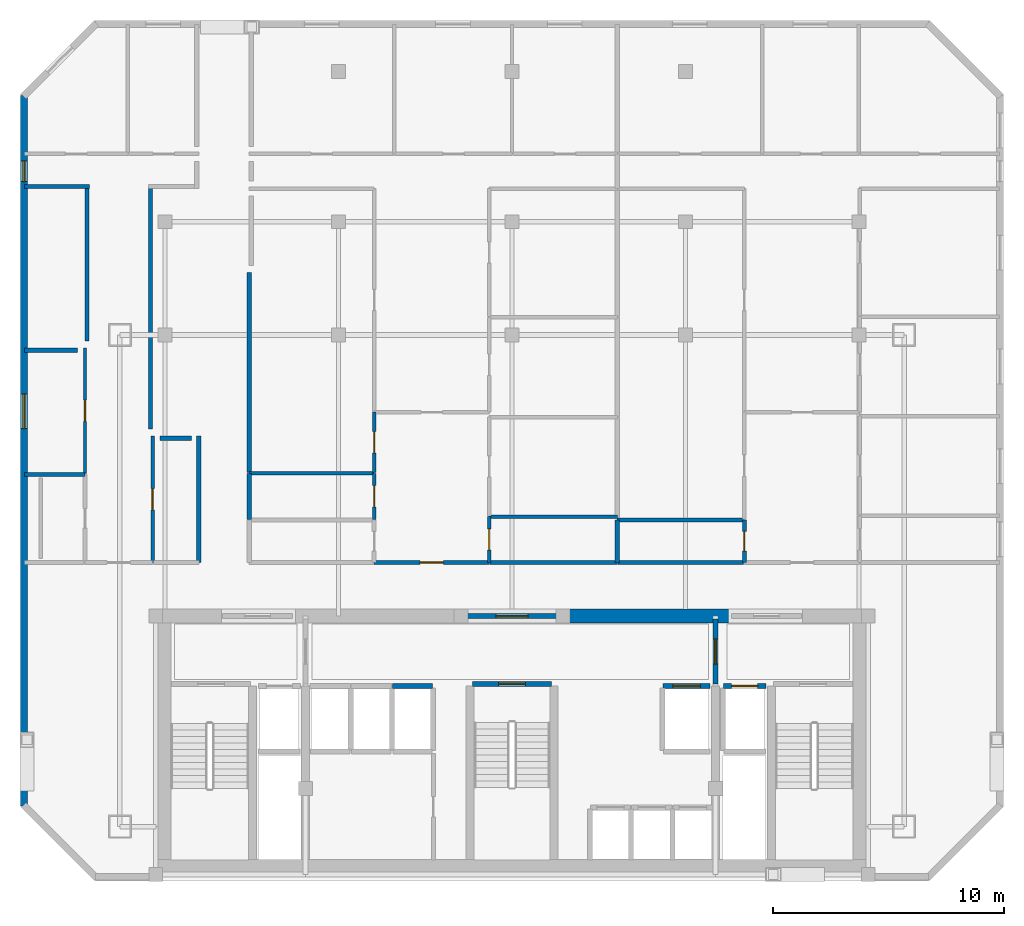
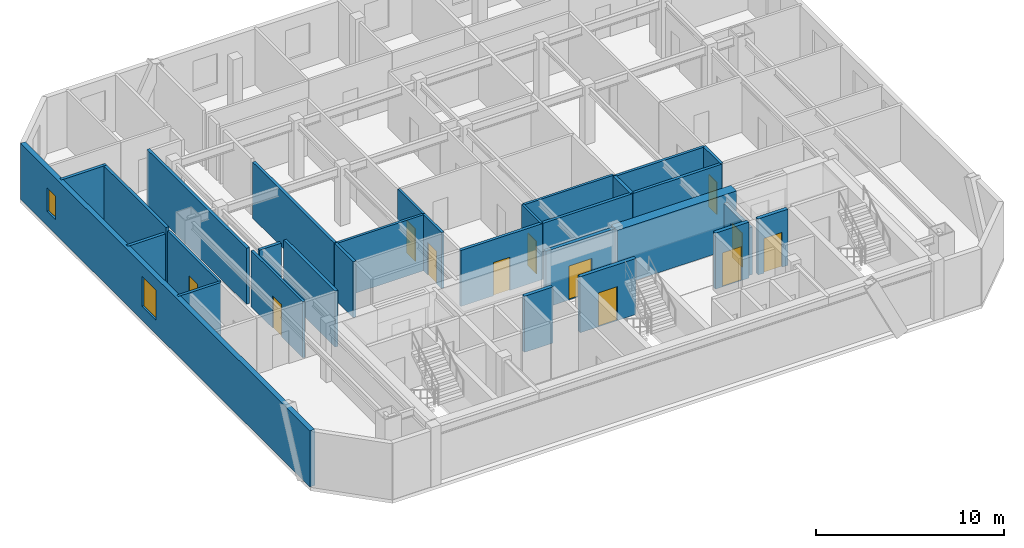
# One storey, part 3 of 7: 30 walls, 12 doors, 2 windows, 14 openings.
"""IFC4 building model written with IfcOpenShell, lengths in metres."""

from ifc_helpers import new_model, si_unit, direction, frame, frame_2d, origin, place, context, subcontext, project, spatial, rectangle, extrude, material, layer, layer_set, type_object, element, fill, save


model = new_model("IFC4")

# Units and contexts
model_context = context("Model", 3, precision=1e-05, world=origin(), true_north=direction((0.0, 1.0)))
body_context = subcontext(model_context, "Body", "Model", "MODEL_VIEW")
ifc_project = project(units=[si_unit("LENGTHUNIT", "METRE"), si_unit("AREAUNIT", "SQUARE_METRE"), si_unit("VOLUMEUNIT", "CUBIC_METRE"), si_unit("PLANEANGLEUNIT", "RADIAN"), si_unit("MASSUNIT", "GRAM", prefix="KILO")], contexts=[model_context])

# Site, building, storey
site_placement = place(None, origin())
site = spatial("IfcSite", under=ifc_project, at=site_placement, CompositionType="ELEMENT")
building_placement = place(site_placement, origin())
building = spatial("IfcBuilding", under=site, at=building_placement, Name="Ventersveld Concourse Tower", CompositionType="ELEMENT")
storey_placement = place(building_placement, frame((0.0, 0.0, 223.39990234375)))
storey = spatial("IfcBuildingStorey", under=building, at=storey_placement, Name="L55", CompositionType="ELEMENT", Elevation=223.39990234375)

# Walls
ifc_material_1 = material(Name="Concrete C50/60", Category="concrete")
ifc_layer_1 = layer(ifc_material_1, 0.60009765625)
ifc_layer_set_1 = layer_set([ifc_layer_1], Name="Concrete C50/60")
wall_type_1 = type_object("IfcWallType", Name="WL-CORE-600", PredefinedType="SHEAR", material=ifc_layer_set_1)
wall_1_placement = place(storey_placement, frame((30.89990234375, 11.449951171875, 0.0), z_axis=(0.0, 0.0, 1.0), x_axis=(1.0, 0.0, 0.0)))
element("IfcWall", 1, at=wall_1_placement, inside=storey, type_object=wall_type_1, Name="L55 Rear Core North Shear Wall NMR", PredefinedType="SHEAR", context=body_context, shape_type="SweptSolid", body=[
    extrude(rectangle(XDim=7.300048828125, YDim=0.60009765625, at=frame_2d((3.64990234375, 0.0))), origin(), (0.0, 0.0, 1.0), 3.630126953125),
])
ifc_material_2 = material(Name="Fire-rated autoclaved aerated masonry blockwork", Category="masonry")
ifc_layer_2 = layer(ifc_material_2, 0.179931640625)
ifc_layer_set_2 = layer_set([ifc_layer_2], Name="Fire-rated autoclaved aerated masonry blockwork")
wall_type_2 = type_object("IfcWallType", Name="WL-CORR-180", PredefinedType="PARTITIONING", material=ifc_layer_set_2)
wall_2_placement = place(storey_placement, frame((15.2099609375, 13.764892578125, 0.0), z_axis=(0.0, 0.0, 1.0), x_axis=(0.0, 1.0, 0.0)))
element("IfcWall", 2, at=wall_2_placement, inside=storey, type_object=wall_type_2, Name="L55 Interior Partition SP-L55-COR-SP-L55-55NW-KIT", PredefinedType="PARTITIONING", context=body_context, shape_type="SweptSolid", body=[
    extrude(rectangle(XDim=5.46533203125, YDim=0.179931640625, at=frame_2d((2.732666015625, 0.0))), origin(), (0.0, 0.0, 1.0), 3.630126953125),
])

# Wall, opening, door
wall_3_placement = place(storey_placement, frame((22.78466796875, 13.77001953125, 0.0), z_axis=(0.0, 0.0, 1.0), x_axis=(1.0, 0.0, 0.0)))
wall_3 = element("IfcWall", 3, at=wall_3_placement, inside=storey, type_object=wall_type_2, Name="L55 Interior Partition SP-L55-COR-SP-L55-55N1-FOY", PredefinedType="PARTITIONING", context=body_context, shape_type="SweptSolid", body=[
    extrude(rectangle(XDim=4.989990234375, YDim=0.179931640625, at=frame_2d((2.4951171875, 0.0))), origin(), (0.0, 0.0, 1.0), 3.630126953125),
])
opening_1_placement = place(wall_3_placement, frame((1.9951171875, 0.0, 0.0)))
opening_1 = element("IfcOpeningElement", 4, at=opening_1_placement, cuts=wall_3, Name="Opening FD3", PredefinedType="OPENING", context=body_context, shape_type="SweptSolid", body=[
    extrude(rectangle(XDim=1.0, YDim=2.14990234375, at=frame_2d((0.5, 1.074951171875))), frame((0.0, 0.10009765625, 0.0), z_axis=(0.0, -1.0, 0.0), x_axis=(1.0, 0.0, 0.0)), (0.0, 0.0, 1.0), 0.199951171875),
])
ifc_material_3 = material(Name="Solid-core hardwood veneer timber", Category="wood")
door_type_1 = type_object("IfcDoorType", Name="DR-FLAT-100", OperationType="NOTDEFINED", PredefinedType="DOOR", material=ifc_material_3)
door_1_placement = place(opening_1_placement, origin())
door_1 = element("IfcDoor", 5, at=door_1_placement, inside=storey, type_object=door_type_1, Name="L55 Interior Door SP-L55-COR to SP-L55-55N1-FOY (FD-L55-2664)", OperationType="SINGLE_SWING_RIGHT", OverallHeight=2.14990234375, OverallWidth=1.0, PredefinedType="DOOR", context=body_context, shape_type="SweptSolid", body=[
    extrude(rectangle(XDim=1.0, YDim=2.14990234375, at=frame_2d((0.5, 1.074951171875))), frame((0.0, 0.02490234375, 0.0), z_axis=(0.0, -1.0, 0.0), x_axis=(1.0, 0.0, 0.0)), (0.0, 0.0, 1.0), 0.050048828125),
])
fill(opening_1, door_1)

# Walls
wall_4_placement = place(storey_placement, frame((17.389892578125, 15.635009765625, 0.0), z_axis=(0.0, 0.0, 1.0), x_axis=(0.0, 1.0, 0.0)))
element("IfcWall", 6, at=wall_4_placement, inside=storey, type_object=wall_type_2, Name="L55 Interior Partition SP-L55-COR-SP-L55-55N1-PANL0", PredefinedType="PARTITIONING", context=body_context, shape_type="SweptSolid", body=[
    extrude(rectangle(XDim=1.9892578125, YDim=0.179931640625, at=frame_2d((0.99462890625, 0.0))), origin(), (0.0, 0.0, 1.0), 3.630126953125),
])
wall_5_placement = place(storey_placement, frame((17.389892578125, 17.654296875, 0.0), z_axis=(0.0, 0.0, 1.0), x_axis=(0.0, 1.0, 0.0)))
element("IfcWall", 7, at=wall_5_placement, inside=storey, type_object=wall_type_2, Name="L55 Interior Partition SP-L55-COR-SP-L55-55N1-DENL", PredefinedType="PARTITIONING", context=body_context, shape_type="SweptSolid", body=[
    extrude(rectangle(XDim=8.640625, YDim=0.179931640625, at=frame_2d((4.3203125, 0.0))), origin(), (0.0, 0.0, 1.0), 3.630126953125),
])
wall_6_placement = place(storey_placement, frame((27.8046875, 13.77001953125, 0.0), z_axis=(0.0, 0.0, 1.0), x_axis=(1.0, 0.0, 0.0)))
element("IfcWall", 8, at=wall_6_placement, inside=storey, type_object=wall_type_2, Name="L55 Interior Partition SP-L55-COR-SP-L55-55N1-KIT", PredefinedType="PARTITIONING", context=body_context, shape_type="SweptSolid", body=[
    extrude(rectangle(XDim=5.500244140625, YDim=0.179931640625, at=frame_2d((2.75, 0.0))), origin(), (0.0, 0.0, 1.0), 3.630126953125),
])
wall_7_placement = place(storey_placement, frame((33.3349609375, 13.77001953125, 0.0), z_axis=(0.0, 0.0, 1.0), x_axis=(1.0, 0.0, 0.0)))
element("IfcWall", 9, at=wall_7_placement, inside=storey, type_object=wall_type_2, Name="L55 Interior Partition SP-L55-COR-SP-L55-55N2-BATH", PredefinedType="PARTITIONING", context=body_context, shape_type="SweptSolid", body=[
    extrude(rectangle(XDim=5.427734375, YDim=0.179931640625, at=frame_2d((2.7138671875, 0.0))), origin(), (0.0, 0.0, 1.0), 3.630126953125),
])
wall_8_placement = place(storey_placement, frame((10.3798828125, 23.35205078125, 0.0), z_axis=(0.0, 0.0, 1.0), x_axis=(0.0, 1.0, 0.0)))
element("IfcWall", 10, at=wall_8_placement, inside=storey, type_object=wall_type_2, Name="L55 Room Enclosure Wall SP-L55-55NW-LIV", PredefinedType="PARTITIONING", context=body_context, shape_type="SweptSolid", body=[
    extrude(rectangle(XDim=6.762939453125, YDim=0.179931640625, at=frame_2d((3.38134765625, 0.0))), origin(), (0.0, 0.0, 1.0), 3.630126953125),
])
wall_9_placement = place(storey_placement, frame((10.474853515625, 30.02001953125, 0.0), z_axis=(0.0, 0.0, 1.0), x_axis=(-1.0, 0.0, 0.0)))
element("IfcWall", 11, at=wall_9_placement, inside=storey, type_object=wall_type_2, Name="L55 Room Enclosure Wall SP-L55-55NW-LIV", PredefinedType="PARTITIONING", context=body_context, shape_type="SweptSolid", body=[
    extrude(rectangle(XDim=2.80224609375, YDim=0.179931640625, at=frame_2d((1.401123046875, 0.0))), origin(), (0.0, 0.0, 1.0), 3.630126953125),
])
wall_10_placement = place(storey_placement, frame((13.1201171875, 30.114990234375, 0.0), z_axis=(0.0, 0.0, 1.0), x_axis=(0.0, -1.0, 0.0)))
element("IfcWall", 12, at=wall_10_placement, inside=storey, type_object=wall_type_2, Name="L55 Room Enclosure Wall SP-L55-55NW-LIV", PredefinedType="PARTITIONING", context=body_context, shape_type="SweptSolid", body=[
    extrude(rectangle(XDim=10.56982421875, YDim=0.179931640625, at=frame_2d((5.284912109375, 0.0))), origin(), (0.0, 0.0, 1.0), 3.630126953125),
])
wall_11_placement = place(storey_placement, frame((7.672607421875, 22.942138671875, 0.0), z_axis=(0.0, 0.0, 1.0), x_axis=(1.0, 0.0, 0.0)))
element("IfcWall", 13, at=wall_11_placement, inside=storey, type_object=wall_type_2, Name="L55 Room Enclosure Wall SP-L55-55NW-PANL0", PredefinedType="PARTITIONING", context=body_context, shape_type="SweptSolid", body=[
    extrude(rectangle(XDim=2.292236328125, YDim=0.179931640625, at=frame_2d((1.14599609375, 0.0))), origin(), (0.0, 0.0, 1.0), 3.630126953125),
])
wall_12_placement = place(storey_placement, frame((13.53515625, 19.13525390625, 0.0), z_axis=(0.0, 0.0, 1.0), x_axis=(1.0, 0.0, 0.0)))
element("IfcWall", 14, at=wall_12_placement, inside=storey, type_object=wall_type_2, Name="L55 Room Enclosure Wall SP-L55-55NW-KIT", PredefinedType="PARTITIONING", context=body_context, shape_type="SweptSolid", body=[
    extrude(rectangle(XDim=1.349853515625, YDim=0.179931640625, at=frame_2d((0.6748046875, 0.0))), origin(), (0.0, 0.0, 1.0), 3.630126953125),
])
ifc_layer_3 = layer(ifc_material_2, 0.199951171875)
ifc_layer_set_3 = layer_set([ifc_layer_3], Name="Fire-rated autoclaved aerated masonry blockwork")
wall_type_3 = type_object("IfcWallType", Name="WL-DEMISE-200", PredefinedType="PARTITIONING", material=ifc_layer_set_3)
wall_13_placement = place(storey_placement, frame((33.300048828125, 13.764892578125, 0.0), z_axis=(0.0, 0.0, 1.0), x_axis=(0.0, 1.0, 0.0)))
element("IfcWall", 15, at=wall_13_placement, inside=storey, type_object=wall_type_3, Name="L55 Interior Partition SP-L55-55N1-KIT-SP-L55-55N2-BATH", PredefinedType="PARTITIONING", context=body_context, shape_type="SweptSolid", body=[
    extrude(rectangle(XDim=1.840087890625, YDim=0.199951171875, at=frame_2d((0.919921875, 0.0))), origin(), (0.0, 0.0, 1.0), 3.630126953125),
])

# Wall, opening, door
ifc_layer_4 = layer(ifc_material_2, 0.219970703125)
ifc_layer_set_4 = layer_set([ifc_layer_4], Name="Fire-rated autoclaved aerated masonry blockwork")
wall_type_4 = type_object("IfcWallType", Name="WL-HOIST-220", PredefinedType="SOLIDWALL", material=ifc_layer_set_4)
wall_14_placement = place(storey_placement, frame((37.89990234375, 8.429931640625, 0.0), z_axis=(0.0, 0.0, 1.0), x_axis=(1.0, 0.0, 0.0)))
wall_14 = element("IfcWall", 16, at=wall_14_placement, inside=storey, type_object=wall_type_4, Name="L55 Lift Hoistway Front Wall FFL-02", PredefinedType="SOLIDWALL", context=body_context, shape_type="SweptSolid", body=[
    extrude(rectangle(XDim=1.820068359375, YDim=0.219970703125, at=frame_2d((0.91015625, 0.0))), origin(), (0.0, 0.0, 1.0), 3.630126953125),
])
opening_2_placement = place(wall_14_placement, frame((0.35009765625, 0.0, 0.0)))
opening_2 = element("IfcOpeningElement", 17, at=opening_2_placement, cuts=wall_14, Name="Opening LD1", PredefinedType="OPENING", context=body_context, shape_type="SweptSolid", body=[
    extrude(rectangle(XDim=1.1201171875, YDim=2.25, at=frame_2d((0.56005859375, 1.125))), frame((0.0, 0.1201171875, 0.0), z_axis=(0.0, -1.0, 0.0), x_axis=(1.0, 0.0, 0.0)), (0.0, 0.0, 1.0), 0.239990234375),
])
ifc_material_4 = material(Name="Brushed stainless steel 316", Category="steel")
door_type_2 = type_object("IfcDoorType", Name="LD-FF-112", OperationType="SLIDING_TO_LEFT", PredefinedType="DOOR", material=ifc_material_4)
door_2_placement = place(opening_2_placement, origin())
door_2 = element("IfcDoor", 18, at=door_2_placement, inside=storey, type_object=door_type_2, Name="L55 Lift landing door FFL-02 (LD-L55-FFL-02)", OperationType="SLIDING_TO_RIGHT", OverallHeight=2.25, OverallWidth=1.1201171875, PredefinedType="DOOR", context=body_context, shape_type="SweptSolid", body=[
    extrude(rectangle(XDim=1.1201171875, YDim=2.25, at=frame_2d((0.56005859375, 1.125))), frame((0.0, 0.02490234375, 0.0), z_axis=(0.0, -1.0, 0.0), x_axis=(1.0, 0.0, 0.0)), (0.0, 0.0, 1.0), 0.050048828125),
])
fill(opening_2, door_2)

wall_15_placement = place(storey_placement, frame((35.280029296875, 8.429931640625, 0.0), z_axis=(0.0, 0.0, 1.0), x_axis=(1.0, 0.0, 0.0)))
wall_15 = element("IfcWall", 19, at=wall_15_placement, inside=storey, type_object=wall_type_4, Name="L55 Lift Hoistway Front Wall SVL-01", PredefinedType="SOLIDWALL", context=body_context, shape_type="SweptSolid", body=[
    extrude(rectangle(XDim=2.0400390625, YDim=0.219970703125, at=frame_2d((1.02001953125, 0.0))), origin(), (0.0, 0.0, 1.0), 3.630126953125),
])
opening_3_placement = place(wall_15_placement, frame((0.429931640625, 0.0, 0.0)))
opening_3 = element("IfcOpeningElement", 20, at=opening_3_placement, cuts=wall_15, Name="Opening LD2", PredefinedType="OPENING", context=body_context, shape_type="SweptSolid", body=[
    extrude(rectangle(XDim=1.179931640625, YDim=2.199951171875, at=frame_2d((0.58984375, 1.10009765625))), frame((0.0, 0.1201171875, 0.0), z_axis=(0.0, -1.0, 0.0), x_axis=(1.0, 0.0, 0.0)), (0.0, 0.0, 1.0), 0.239990234375),
])
door_type_3 = type_object("IfcDoorType", Name="LD-PAX-118", OperationType="SLIDING_TO_LEFT", PredefinedType="DOOR", material=ifc_material_4)
door_3_placement = place(opening_3_placement, origin())
door_3 = element("IfcDoor", 21, at=door_3_placement, inside=storey, type_object=door_type_3, Name="L55 Lift landing door SVL-01 (LD-L55-SVL-01)", OperationType="SLIDING_TO_LEFT", OverallHeight=2.199951171875, OverallWidth=1.179931640625, PredefinedType="DOOR", context=body_context, shape_type="SweptSolid", body=[
    extrude(rectangle(XDim=1.179931640625, YDim=2.199951171875, at=frame_2d((0.58984375, 1.10009765625))), frame((0.0, 0.02490234375, 0.0), z_axis=(0.0, -1.0, 0.0), x_axis=(1.0, 0.0, 0.0)), (0.0, 0.0, 1.0), 0.050048828125),
])
fill(opening_3, door_3)

# Wall
wall_16_placement = place(storey_placement, frame((23.580078125, 8.429931640625, 0.0), z_axis=(0.0, 0.0, 1.0), x_axis=(1.0, 0.0, 0.0)))
element("IfcWall", 22, at=wall_16_placement, inside=storey, type_object=wall_type_4, Name="L55 Lift Hoistway Front Wall PH-03", PredefinedType="SOLIDWALL", context=body_context, shape_type="SweptSolid", body=[
    extrude(rectangle(XDim=1.739990234375, YDim=0.219970703125, at=frame_2d((0.8701171875, 0.0))), origin(), (0.0, 0.0, 1.0), 3.630126953125),
])

# Wall, opening, door
wall_17_placement = place(storey_placement, frame((27.0400390625, 8.52001953125, 0.0), z_axis=(0.0, 0.0, 1.0), x_axis=(1.0, 0.0, 0.0)))
wall_17 = element("IfcWall", 23, at=wall_17_placement, inside=storey, type_object=wall_type_4, Name="L55 Escape Stair ST03 Fire Wall", PredefinedType="SOLIDWALL", context=body_context, shape_type="SweptSolid", body=[
    extrude(rectangle(XDim=3.419921875, YDim=0.219970703125, at=frame_2d((1.7099609375, 0.0))), origin(), (0.0, 0.0, 1.0), 3.630126953125),
])
opening_4_placement = place(wall_17_placement, frame((1.135009765625, 0.0, 0.0)))
opening_4 = element("IfcOpeningElement", 24, at=opening_4_placement, cuts=wall_17, Name="Opening FD1", PredefinedType="OPENING", context=body_context, shape_type="SweptSolid", body=[
    extrude(rectangle(XDim=1.14990234375, YDim=2.199951171875, at=frame_2d((0.574951171875, 1.10009765625))), frame((0.0, 0.1201171875, 0.0), z_axis=(0.0, -1.0, 0.0), x_axis=(1.0, 0.0, 0.0)), (0.0, 0.0, 1.0), 0.239990234375),
])
ifc_material_5 = material(Name="Galvanised painted steel", Category="steel")
door_type_4 = type_object("IfcDoorType", Name="DR-STAIR-115", OperationType="NOTDEFINED", PredefinedType="DOOR", material=ifc_material_5)
door_4_placement = place(opening_4_placement, origin())
door_4 = element("IfcDoor", 25, at=door_4_placement, inside=storey, type_object=door_type_4, Name="L55 Escape Stair Door ST03 (SD-L55-2656)", OperationType="SINGLE_SWING_LEFT", OverallHeight=2.199951171875, OverallWidth=1.14990234375, PredefinedType="DOOR", context=body_context, shape_type="SweptSolid", body=[
    extrude(rectangle(XDim=1.14990234375, YDim=2.199951171875, at=frame_2d((0.574951171875, 1.10009765625))), frame((0.0, 0.02490234375, 0.0), z_axis=(0.0, -1.0, 0.0), x_axis=(1.0, 0.0, 0.0)), (0.0, 0.0, 1.0), 0.050048828125),
])
fill(opening_4, door_4)

wall_18_placement = place(storey_placement, frame((37.550048828125, 8.52001953125, 0.0), z_axis=(0.0, 0.0, 1.0), x_axis=(0.0, 1.0, 0.0)))
wall_18 = element("IfcWall", 26, at=wall_18_placement, inside=storey, type_object=wall_type_4, Name="L55 Firefighting Lobby Smoke-Stop Wall FFLE-SEP", PredefinedType="SOLIDWALL", context=body_context, shape_type="SweptSolid", body=[
    extrude(rectangle(XDim=2.800048828125, YDim=0.219970703125, at=frame_2d((1.39990234375, 0.0))), origin(), (0.0, 0.0, 1.0), 3.085693359375),
])
opening_5_placement = place(wall_18_placement, frame((0.85009765625, 0.0, 0.0)))
opening_5 = element("IfcOpeningElement", 27, at=opening_5_placement, cuts=wall_18, Name="Opening FD2", PredefinedType="OPENING", context=body_context, shape_type="SweptSolid", body=[
    extrude(rectangle(XDim=1.10009765625, YDim=2.199951171875, at=frame_2d((0.550048828125, 1.10009765625))), frame((0.0, 0.1201171875, 0.0), z_axis=(0.0, -1.0, 0.0), x_axis=(1.0, 0.0, 0.0)), (0.0, 0.0, 1.0), 0.239990234375),
])
door_type_5 = type_object("IfcDoorType", Name="DR-FFL-110", OperationType="NOTDEFINED", PredefinedType="DOOR", material=ifc_material_5)
door_5_placement = place(opening_5_placement, origin())
door_5 = element("IfcDoor", 28, at=door_5_placement, inside=storey, type_object=door_type_5, Name="L55 Firefighting Lobby Door FFLE-SEP (FD-L55-2658)", OperationType="SINGLE_SWING_RIGHT", OverallHeight=2.199951171875, OverallWidth=1.10009765625, PredefinedType="DOOR", context=body_context, shape_type="SweptSolid", body=[
    extrude(rectangle(XDim=1.10009765625, YDim=2.199951171875, at=frame_2d((0.550048828125, 1.10009765625))), frame((0.0, 0.02490234375, 0.0), z_axis=(0.0, -1.0, 0.0), x_axis=(1.0, 0.0, 0.0)), (0.0, 0.0, 1.0), 0.050048828125),
])
fill(opening_5, door_5)

wall_19_placement = place(storey_placement, frame((26.6298828125, 11.449951171875, 0.0), z_axis=(0.0, 0.0, 1.0), x_axis=(1.0, 0.0, 0.0)))
wall_19 = element("IfcWall", 29, at=wall_19_placement, inside=storey, type_object=wall_type_4, Name="L55 Core North Fire Portal PLOB-OUT", PredefinedType="SOLIDWALL", context=body_context, shape_type="SweptSolid", body=[
    extrude(rectangle(XDim=4.240234375, YDim=0.219970703125, at=frame_2d((2.1201171875, 0.0))), origin(), (0.0, 0.0, 1.0), 3.630126953125),
])
opening_6_placement = place(wall_19_placement, frame((1.419921875, 0.0, 0.0)))
opening_6 = element("IfcOpeningElement", 30, at=opening_6_placement, cuts=wall_19, Name="Opening FD4", PredefinedType="OPENING", context=body_context, shape_type="SweptSolid", body=[
    extrude(rectangle(XDim=1.39990234375, YDim=2.199951171875, at=frame_2d((0.699951171875, 1.10009765625))), frame((0.0, 0.1201171875, 0.0), z_axis=(0.0, -1.0, 0.0), x_axis=(1.0, 0.0, 0.0)), (0.0, 0.0, 1.0), 0.239990234375),
])
door_type_6 = type_object("IfcDoorType", Name="DR-PLANT-140", OperationType="DOUBLE_DOOR_SINGLE_SWING", PredefinedType="DOOR", material=ifc_material_5)
door_6_placement = place(opening_6_placement, origin())
door_6 = element("IfcDoor", 31, at=door_6_placement, inside=storey, type_object=door_type_6, Name="L55 Core Lobby Fire Door PLOB-OUT (FD-L55-2660)", OperationType="DOUBLE_DOOR_SINGLE_SWING", OverallHeight=2.199951171875, OverallWidth=1.39990234375, PredefinedType="DOOR", context=body_context, shape_type="SweptSolid", body=[
    extrude(rectangle(XDim=1.39990234375, YDim=2.199951171875, at=frame_2d((0.699951171875, 1.10009765625))), frame((0.0, 0.02490234375, 0.0), z_axis=(0.0, -1.0, 0.0), x_axis=(1.0, 0.0, 0.0)), (0.0, 0.0, 1.0), 0.050048828125),
])
fill(opening_6, door_6)

ifc_material_6 = material(Name="Autoclaved aerated masonry blockwork", Category="masonry")
ifc_layer_5 = layer(ifc_material_6, 0.14990234375)
ifc_layer_set_5 = layer_set([ifc_layer_5], Name="Autoclaved aerated masonry blockwork")
wall_type_5 = type_object("IfcWallType", Name="WL-INT-150", PredefinedType="PARTITIONING", material=ifc_layer_set_5)
wall_20_placement = place(storey_placement, frame((10.289794921875, 17.61181640625, 0.0), z_axis=(0.0, 0.0, 1.0), x_axis=(0.0, 1.0, 0.0)))
wall_20 = element("IfcWall", 32, at=wall_20_placement, inside=storey, type_object=wall_type_5, Name="L55 Interior Partition SP-L55-55NW-LIV-SP-L55-55NW-PANL0", PredefinedType="PARTITIONING", context=body_context, shape_type="SweptSolid", body=[
    extrude(rectangle(XDim=5.42529296875, YDim=0.14990234375, at=frame_2d((2.712646484375, 0.0))), origin(), (0.0, 0.0, 1.0), 3.630126953125),
])
opening_7_placement = place(wall_20_placement, frame((2.252685546875, 0.0, 0.0)))
opening_7 = element("IfcOpeningElement", 33, at=opening_7_placement, cuts=wall_20, Name="Opening ID1", PredefinedType="OPENING", context=body_context, shape_type="SweptSolid", body=[
    extrude(rectangle(XDim=0.919921875, YDim=2.10009765625, at=frame_2d((0.4599609375, 1.050048828125))), frame((0.0, 0.0849609375, 0.0), z_axis=(0.0, -1.0, 0.0), x_axis=(1.0, 0.0, 0.0)), (0.0, 0.0, 1.0), 0.169921875),
])
door_type_7 = type_object("IfcDoorType", Name="DR-ROOM-092", OperationType="NOTDEFINED", PredefinedType="DOOR", material=ifc_material_3)
door_7_placement = place(opening_7_placement, origin())
door_7 = element("IfcDoor", 34, at=door_7_placement, inside=storey, type_object=door_type_7, Name="L55 Interior Door SP-L55-55NW-LIV to SP-L55-55NW-PANL0 (D-L55-2667)", OperationType="SINGLE_SWING_LEFT", OverallHeight=2.10009765625, OverallWidth=0.919921875, PredefinedType="DOOR", context=body_context, shape_type="SweptSolid", body=[
    extrude(rectangle(XDim=0.919921875, YDim=2.10009765625, at=frame_2d((0.4599609375, 1.050048828125))), frame((0.0, 0.02490234375, 0.0), z_axis=(0.0, -1.0, 0.0), x_axis=(1.0, 0.0, 0.0)), (0.0, 0.0, 1.0), 0.050048828125),
])
fill(opening_7, door_7)

wall_21_placement = place(storey_placement, frame((13.210205078125, 13.764892578125, 0.0), z_axis=(0.0, 0.0, 1.0), x_axis=(0.0, 1.0, 0.0)))
wall_21 = element("IfcWall", 35, at=wall_21_placement, inside=storey, type_object=wall_type_5, Name="L55 Interior Partition SP-L55-55NW-LIV-SP-L55-55NW-KIT", PredefinedType="PARTITIONING", context=body_context, shape_type="SweptSolid", body=[
    extrude(rectangle(XDim=5.46533203125, YDim=0.14990234375, at=frame_2d((2.732666015625, 0.0))), origin(), (0.0, 0.0, 1.0), 3.630126953125),
])
opening_8_placement = place(wall_21_placement, frame((2.272705078125, 0.0, 0.0)))
opening_8 = element("IfcOpeningElement", 36, at=opening_8_placement, cuts=wall_21, Name="Opening ID1", PredefinedType="OPENING", context=body_context, shape_type="SweptSolid", body=[
    extrude(rectangle(XDim=0.919921875, YDim=2.10009765625, at=frame_2d((0.4599609375, 1.050048828125))), frame((0.0, 0.0849609375, 0.0), z_axis=(0.0, -1.0, 0.0), x_axis=(1.0, 0.0, 0.0)), (0.0, 0.0, 1.0), 0.169921875),
])
door_8_placement = place(opening_8_placement, origin())
door_8 = element("IfcDoor", 37, at=door_8_placement, inside=storey, type_object=door_type_7, Name="L55 Interior Door SP-L55-55NW-LIV to SP-L55-55NW-KIT (D-L55-2668)", OperationType="SINGLE_SWING_RIGHT", OverallHeight=2.10009765625, OverallWidth=0.919921875, PredefinedType="DOOR", context=body_context, shape_type="SweptSolid", body=[
    extrude(rectangle(XDim=0.919921875, YDim=2.10009765625, at=frame_2d((0.4599609375, 1.050048828125))), frame((0.0, 0.02490234375, 0.0), z_axis=(0.0, -1.0, 0.0), x_axis=(1.0, 0.0, 0.0)), (0.0, 0.0, 1.0), 0.050048828125),
])
fill(opening_8, door_8)

wall_22_placement = place(storey_placement, frame((22.78955078125, 15.635009765625, 0.0), z_axis=(0.0, 0.0, 1.0), x_axis=(0.0, 1.0, 0.0)))
wall_22 = element("IfcWall", 38, at=wall_22_placement, inside=storey, type_object=wall_type_5, Name="L55 Interior Partition SP-L55-55N1-FOY-SP-L55-55N1-PANL0", PredefinedType="PARTITIONING", context=body_context, shape_type="SweptSolid", body=[
    extrude(rectangle(XDim=1.9892578125, YDim=0.14990234375, at=frame_2d((0.99462890625, 0.0))), origin(), (0.0, 0.0, 1.0), 3.630126953125),
])
opening_9_placement = place(wall_22_placement, frame((0.53466796875, 0.0, 0.0)))
opening_9 = element("IfcOpeningElement", 39, at=opening_9_placement, cuts=wall_22, Name="Opening ID1", PredefinedType="OPENING", context=body_context, shape_type="SweptSolid", body=[
    extrude(rectangle(XDim=0.919921875, YDim=2.10009765625, at=frame_2d((0.4599609375, 1.050048828125))), frame((0.0, 0.0849609375, 0.0), z_axis=(0.0, -1.0, 0.0), x_axis=(1.0, 0.0, 0.0)), (0.0, 0.0, 1.0), 0.169921875),
])
door_9_placement = place(opening_9_placement, origin())
door_9 = element("IfcDoor", 40, at=door_9_placement, inside=storey, type_object=door_type_7, Name="L55 Interior Door SP-L55-55N1-FOY to SP-L55-55N1-PANL0 (D-L55-2673)", OperationType="SINGLE_SWING_LEFT", OverallHeight=2.10009765625, OverallWidth=0.919921875, PredefinedType="DOOR", context=body_context, shape_type="SweptSolid", body=[
    extrude(rectangle(XDim=0.919921875, YDim=2.10009765625, at=frame_2d((0.4599609375, 1.050048828125))), frame((0.0, 0.02490234375, 0.0), z_axis=(0.0, -1.0, 0.0), x_axis=(1.0, 0.0, 0.0)), (0.0, 0.0, 1.0), 0.050048828125),
])
fill(opening_9, door_9)

wall_23_placement = place(storey_placement, frame((22.78955078125, 17.654296875, 0.0), z_axis=(0.0, 0.0, 1.0), x_axis=(0.0, 1.0, 0.0)))
wall_23 = element("IfcWall", 41, at=wall_23_placement, inside=storey, type_object=wall_type_5, Name="L55 Interior Partition SP-L55-55N1-FOY-SP-L55-55N1-DENL", PredefinedType="PARTITIONING", context=body_context, shape_type="SweptSolid", body=[
    extrude(rectangle(XDim=2.619873046875, YDim=0.14990234375, at=frame_2d((1.31005859375, 0.0))), origin(), (0.0, 0.0, 1.0), 3.630126953125),
])
opening_10_placement = place(wall_23_placement, frame((0.85009765625, 0.0, 0.0)))
opening_10 = element("IfcOpeningElement", 42, at=opening_10_placement, cuts=wall_23, Name="Opening ID1", PredefinedType="OPENING", context=body_context, shape_type="SweptSolid", body=[
    extrude(rectangle(XDim=0.919921875, YDim=2.10009765625, at=frame_2d((0.4599609375, 1.050048828125))), frame((0.0, 0.0849609375, 0.0), z_axis=(0.0, -1.0, 0.0), x_axis=(1.0, 0.0, 0.0)), (0.0, 0.0, 1.0), 0.169921875),
])
door_10_placement = place(opening_10_placement, origin())
door_10 = element("IfcDoor", 43, at=door_10_placement, inside=storey, type_object=door_type_7, Name="L55 Interior Door SP-L55-55N1-FOY to SP-L55-55N1-DENL (D-L55-2674)", OperationType="SINGLE_SWING_RIGHT", OverallHeight=2.10009765625, OverallWidth=0.919921875, PredefinedType="DOOR", context=body_context, shape_type="SweptSolid", body=[
    extrude(rectangle(XDim=0.919921875, YDim=2.10009765625, at=frame_2d((0.4599609375, 1.050048828125))), frame((0.0, 0.02490234375, 0.0), z_axis=(0.0, -1.0, 0.0), x_axis=(1.0, 0.0, 0.0)), (0.0, 0.0, 1.0), 0.050048828125),
])
fill(opening_10, door_10)

wall_24_placement = place(storey_placement, frame((27.76953125, 13.764892578125, 0.0), z_axis=(0.0, 0.0, 1.0), x_axis=(0.0, 1.0, 0.0)))
wall_24 = element("IfcWall", 44, at=wall_24_placement, inside=storey, type_object=wall_type_5, Name="L55 Interior Partition SP-L55-55N1-FOY-SP-L55-55N1-KIT", PredefinedType="PARTITIONING", context=body_context, shape_type="SweptSolid", body=[
    extrude(rectangle(XDim=1.984375, YDim=0.14990234375, at=frame_2d((0.9921875, 0.0))), origin(), (0.0, 0.0, 1.0), 3.630126953125),
])
opening_11_placement = place(wall_24_placement, frame((0.531982421875, 0.0, 0.0)))
opening_11 = element("IfcOpeningElement", 45, at=opening_11_placement, cuts=wall_24, Name="Opening ID1", PredefinedType="OPENING", context=body_context, shape_type="SweptSolid", body=[
    extrude(rectangle(XDim=0.919921875, YDim=2.10009765625, at=frame_2d((0.4599609375, 1.050048828125))), frame((0.0, 0.0849609375, 0.0), z_axis=(0.0, -1.0, 0.0), x_axis=(1.0, 0.0, 0.0)), (0.0, 0.0, 1.0), 0.169921875),
])
door_11_placement = place(opening_11_placement, origin())
door_11 = element("IfcDoor", 46, at=door_11_placement, inside=storey, type_object=door_type_7, Name="L55 Interior Door SP-L55-55N1-FOY to SP-L55-55N1-KIT (D-L55-2675)", OperationType="SINGLE_SWING_LEFT", OverallHeight=2.10009765625, OverallWidth=0.919921875, PredefinedType="DOOR", context=body_context, shape_type="SweptSolid", body=[
    extrude(rectangle(XDim=0.919921875, YDim=2.10009765625, at=frame_2d((0.4599609375, 1.050048828125))), frame((0.0, 0.02490234375, 0.0), z_axis=(0.0, -1.0, 0.0), x_axis=(1.0, 0.0, 0.0)), (0.0, 0.0, 1.0), 0.050048828125),
])
fill(opening_11, door_11)

# Walls
wall_25_placement = place(storey_placement, frame((17.385009765625, 17.619140625, 0.0), z_axis=(0.0, 0.0, 1.0), x_axis=(1.0, 0.0, 0.0)))
element("IfcWall", 47, at=wall_25_placement, inside=storey, type_object=wall_type_5, Name="L55 Interior Partition SP-L55-55N1-PANL0-SP-L55-55N1-DENL", PredefinedType="PARTITIONING", context=body_context, shape_type="SweptSolid", body=[
    extrude(rectangle(XDim=5.40966796875, YDim=0.14990234375, at=frame_2d((2.704833984375, 0.0))), origin(), (0.0, 0.0, 1.0), 3.630126953125),
])
wall_26_placement = place(storey_placement, frame((27.7646484375, 15.744384765625, 0.0), z_axis=(0.0, 0.0, 1.0), x_axis=(1.0, 0.0, 0.0)))
element("IfcWall", 48, at=wall_26_placement, inside=storey, type_object=wall_type_5, Name="L55 Interior Partition SP-L55-55N1-KIT-SP-L55-55N1-DENR", PredefinedType="PARTITIONING", context=body_context, shape_type="SweptSolid", body=[
    extrude(rectangle(XDim=5.540283203125, YDim=0.14990234375, at=frame_2d((2.77001953125, 0.0))), origin(), (0.0, 0.0, 1.0), 3.630126953125),
])

# Wall, openings, windows
ifc_material_7 = material(Name="Precast concrete C45/55", Category="concrete")
ifc_layer_6 = layer(ifc_material_7, 0.300048828125)
ifc_layer_set_6 = layer_set([ifc_layer_6], Name="Precast concrete C45/55")
wall_type_6 = type_object("IfcWallType", Name="WL-PREC-300", PredefinedType="SOLIDWALL", material=ifc_layer_set_6)
wall_27_placement = place(storey_placement, frame((7.64990234375, 33.9599609375, 0.0), z_axis=(0.0, 0.0, 1.0), x_axis=(0.0, -1.0, 0.0)))
wall_27 = element("IfcWall", 49, at=wall_27_placement, inside=storey, type_object=wall_type_6, Name="L55 Highveld Precast Facade Wall E07", PredefinedType="SOLIDWALL", context=body_context, shape_type="SweptSolid", body=[
    extrude(rectangle(XDim=30.719970703125, YDim=0.300048828125, at=frame_2d((15.35986328125, 0.0))), origin(), (0.0, 0.0, 1.0), 3.630126953125),
])
opening_12_placement = place(wall_27_placement, frame((2.830078125, 0.0, 0.949951171875)))
opening_12 = element("IfcOpeningElement", 50, at=opening_12_placement, cuts=wall_27, Name="Opening W4", PredefinedType="OPENING", context=body_context, shape_type="SweptSolid", body=[
    extrude(rectangle(XDim=0.89990234375, YDim=1.5, at=frame_2d((0.449951171875, 0.75))), frame((0.0, 0.16015625, 0.0), z_axis=(0.0, -1.0, 0.0), x_axis=(1.0, 0.0, 0.0)), (0.0, 0.0, 1.0), 0.320068359375),
])
opening_13_placement = place(wall_27_placement, frame((12.905517578125, 0.0, 0.89990234375)))
opening_13 = element("IfcOpeningElement", 51, at=opening_13_placement, cuts=wall_27, Name="Opening W1", PredefinedType="OPENING", context=body_context, shape_type="SweptSolid", body=[
    extrude(rectangle(XDim=1.5, YDim=1.949951171875, at=frame_2d((0.75, 0.97509765625))), frame((0.0, 0.16015625, 0.0), z_axis=(0.0, -1.0, 0.0), x_axis=(1.0, 0.0, 0.0)), (0.0, 0.0, 1.0), 0.320068359375),
])
ifc_material_8 = material(Name="Tempered acoustic Low-E IGU", Category="glass")
window_type_1 = type_object("IfcWindowType", Name="WIN-090x150", PartitioningType="SINGLE_PANEL", PredefinedType="WINDOW", material=ifc_material_8)
window_1_placement = place(opening_12_placement, origin())
window_1 = element("IfcWindow", 52, at=window_1_placement, inside=storey, type_object=window_type_1, Name="L55 Punched Low-E Window W-0781", OverallHeight=1.5, OverallWidth=0.89990234375, PartitioningType="SINGLE_PANEL", PredefinedType="WINDOW", context=body_context, shape_type="SweptSolid", body=[
    extrude(rectangle(XDim=0.89990234375, YDim=1.5, at=frame_2d((0.449951171875, 0.75))), frame((0.0, 0.030029296875, 0.0), z_axis=(0.0, -1.0, 0.0), x_axis=(1.0, 0.0, 0.0)), (0.0, 0.0, 1.0), 0.06005859375),
])
fill(opening_12, window_1)
window_type_2 = type_object("IfcWindowType", Name="WIN-150x210", PartitioningType="SINGLE_PANEL", PredefinedType="WINDOW", material=ifc_material_8)
window_2_placement = place(opening_13_placement, origin())
window_2 = element("IfcWindow", 53, at=window_2_placement, inside=storey, type_object=window_type_2, Name="L55 Punched Low-E Window W-0782", OverallHeight=1.949951171875, OverallWidth=1.5, PartitioningType="SINGLE_PANEL", PredefinedType="WINDOW", context=body_context, shape_type="SweptSolid", body=[
    extrude(rectangle(XDim=1.5, YDim=1.949951171875, at=frame_2d((0.75, 0.97509765625))), frame((0.0, 0.030029296875, 0.0), z_axis=(0.0, -1.0, 0.0), x_axis=(1.0, 0.0, 0.0)), (0.0, 0.0, 1.0), 0.06005859375),
])
fill(opening_13, window_2)

# Wall
ifc_layer_7 = layer(ifc_material_6, 0.1650390625)
ifc_layer_set_7 = layer_set([ifc_layer_7], Name="Autoclaved aerated masonry blockwork")
wall_type_7 = type_object("IfcWallType", Name="WL-WET-165", PredefinedType="PLUMBINGWALL", material=ifc_layer_set_7)
wall_28_placement = place(storey_placement, frame((7.672607421875, 17.576904296875, 0.0), z_axis=(0.0, 0.0, 1.0), x_axis=(1.0, 0.0, 0.0)))
element("IfcWall", 54, at=wall_28_placement, inside=storey, type_object=wall_type_7, Name="L55 Interior Partition SP-L55-55NW-BATH-SP-L55-55NW-PANL0", PredefinedType="PLUMBINGWALL", context=body_context, shape_type="SweptSolid", body=[
    extrude(rectangle(XDim=2.622314453125, YDim=0.1650390625, at=frame_2d((1.31103515625, 0.0))), origin(), (0.0, 0.0, 1.0), 3.630126953125),
])

# Wall, opening, door
wall_29_placement = place(storey_placement, frame((38.797607421875, 13.764892578125, 0.0), z_axis=(0.0, 0.0, 1.0), x_axis=(0.0, 1.0, 0.0)))
wall_29 = element("IfcWall", 55, at=wall_29_placement, inside=storey, type_object=wall_type_7, Name="L55 Interior Partition SP-L55-55N2-FOY-SP-L55-55N2-BATH", PredefinedType="PLUMBINGWALL", context=body_context, shape_type="SweptSolid", body=[
    extrude(rectangle(XDim=1.840087890625, YDim=0.1650390625, at=frame_2d((0.919921875, 0.0))), origin(), (0.0, 0.0, 1.0), 3.630126953125),
])
opening_14_placement = place(wall_29_placement, frame((0.4951171875, 0.0, 0.0)))
opening_14 = element("IfcOpeningElement", 56, at=opening_14_placement, cuts=wall_29, Name="Opening ID2", PredefinedType="OPENING", context=body_context, shape_type="SweptSolid", body=[
    extrude(rectangle(XDim=0.85009765625, YDim=2.10009765625, at=frame_2d((0.425048828125, 1.050048828125))), frame((0.0, 0.092529296875, 0.0), z_axis=(0.0, -1.0, 0.0), x_axis=(1.0, 0.0, 0.0)), (0.0, 0.0, 1.0), 0.18505859375),
])
door_type_8 = type_object("IfcDoorType", Name="DR-BATH-085", OperationType="NOTDEFINED", PredefinedType="DOOR", material=ifc_material_3)
door_12_placement = place(opening_14_placement, origin())
door_12 = element("IfcDoor", 57, at=door_12_placement, inside=storey, type_object=door_type_8, Name="L55 Interior Door SP-L55-55N2-FOY to SP-L55-55N2-BATH (D-L55-2684)", OperationType="SINGLE_SWING_RIGHT", OverallHeight=2.10009765625, OverallWidth=0.85009765625, PredefinedType="DOOR", context=body_context, shape_type="SweptSolid", body=[
    extrude(rectangle(XDim=0.85009765625, YDim=2.10009765625, at=frame_2d((0.425048828125, 1.050048828125))), frame((0.0, 0.02490234375, 0.0), z_axis=(0.0, -1.0, 0.0), x_axis=(1.0, 0.0, 0.0)), (0.0, 0.0, 1.0), 0.050048828125),
])
fill(opening_14, door_12)

# Wall
wall_30_placement = place(storey_placement, frame((33.294921875, 15.60009765625, 0.0), z_axis=(0.0, 0.0, 1.0), x_axis=(1.0, 0.0, 0.0)))
element("IfcWall", 58, at=wall_30_placement, inside=storey, type_object=wall_type_7, Name="L55 Interior Partition SP-L55-55N2-BATH-SP-L55-55N2-DENL", PredefinedType="PLUMBINGWALL", context=body_context, shape_type="SweptSolid", body=[
    extrude(rectangle(XDim=5.5078125, YDim=0.1650390625, at=frame_2d((2.75390625, 0.0))), origin(), (0.0, 0.0, 1.0), 3.630126953125),
])

save(model, "model.ifc")
